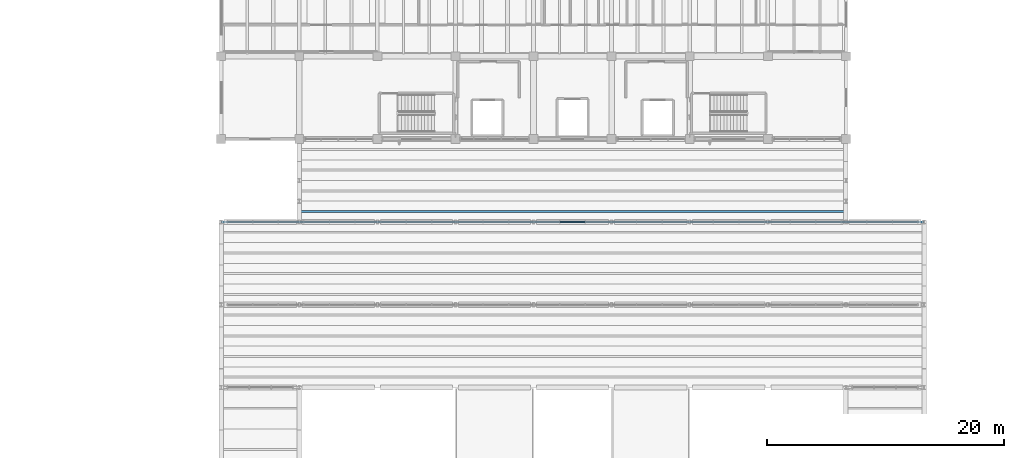
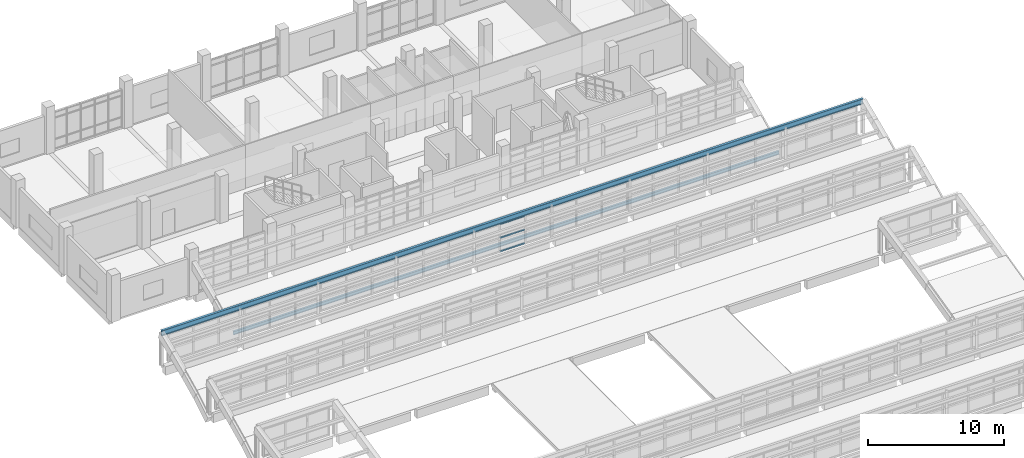
# One storey, part 51 of 92: 5 members, 1 element without a shape of its own.
"""IFC4 building model written with IfcOpenShell, lengths in metres."""

from ifc_helpers import new_model, si_unit, direction, frame, origin, origin_2d, place, context, subcontext, project, spatial, rectangle, i_section, extrude, material, material_profile, profile_set, type_object, element, aggregate, save


model = new_model("IFC4")

# Units and contexts
model_context = context("Model", 3, precision=1e-05, world=origin(), true_north=direction((0.0, 1.0)))
body_context = subcontext(model_context, "Body", "Model", "MODEL_VIEW")
ifc_project = project(units=[si_unit("LENGTHUNIT", "METRE"), si_unit("AREAUNIT", "SQUARE_METRE"), si_unit("VOLUMEUNIT", "CUBIC_METRE"), si_unit("PLANEANGLEUNIT", "RADIAN"), si_unit("MASSUNIT", "GRAM", prefix="KILO")], contexts=[model_context])

# Site, building, storey
site_placement = place(None, origin())
site = spatial("IfcSite", under=ifc_project, at=site_placement, CompositionType="ELEMENT")
building_placement = place(site_placement, origin())
building = spatial("IfcBuilding", under=site, at=building_placement, Name="Ciguamira Faculty of Natural Sciences", CompositionType="ELEMENT")
storey_placement = place(building_placement, frame((0.0, 0.0, 16.800048828125)))
storey = spatial("IfcBuildingStorey", under=building, at=storey_placement, Name="L04", CompositionType="ELEMENT", Elevation=16.800048828125)

# Curtain wall, members
ifc_material_1 = material(Name="Anodized aluminium curtain wall", Category="aluminium")
curtain_wall_type = type_object("IfcCurtainWallType", Name="CurtainWall_CW-08", PredefinedType="USERDEFINED", material=ifc_material_1)
curtain_wall_placement = place(storey_placement, origin())
curtain_wall = element("IfcCurtainWall", 1, at=curtain_wall_placement, inside=storey, type_object=curtain_wall_type, Name="V4 north-light wave 6 clerestory glazing 1", ObjectType="UNITISED CURTAIN WALL", PredefinedType="USERDEFINED")
ifc_material_2 = material(Name="Anodized aluminium transom", Category="aluminium")
ifc_material_profile_1 = material_profile(ifc_material_2, rectangle(XDim=0.070068359375, YDim=0.139892578125, at=origin_2d()), Name="ALU-TRN-70X140")
ifc_profile_set_1 = profile_set([ifc_material_profile_1], Name="Anodized aluminium transom")
member_type_1 = type_object("IfcMemberType", Name="CWTransom_CWT-02", PredefinedType="USERDEFINED", material=ifc_profile_set_1)
member_1_placement = place(storey_placement, frame((85.95361328125, 87.0, 0.284912109375), z_axis=(1.0, 0.0, 0.0), x_axis=(0.0, 0.0, 1.0)))
member_1 = element("IfcMember", 2, at=member_1_placement, type_object=member_type_1, Name="CW-08 transom 14.1", ObjectType="TRANSOM", PredefinedType="USERDEFINED", context=body_context, shape_type="SweptSolid", body=[
    extrude(rectangle(XDim=0.070068359375, YDim=0.139892578125, at=origin_2d()), origin(), (0.0, 0.0, 1.0), 2.0927734375),
])
member_2_placement = place(storey_placement, frame((85.95361328125, 87.0, 1.5), z_axis=(1.0, 0.0, 0.0), x_axis=(0.0, 0.0, 1.0)))
member_2 = element("IfcMember", 3, at=member_2_placement, type_object=member_type_1, Name="CW-08 transom 14.2", ObjectType="TRANSOM", PredefinedType="USERDEFINED", context=body_context, shape_type="SweptSolid", body=[
    extrude(rectangle(XDim=0.070068359375, YDim=0.139892578125, at=origin_2d()), origin(), (0.0, 0.0, 1.0), 2.0927734375),
])
member_3_placement = place(storey_placement, frame((85.95361328125, 87.0, 2.71484375), z_axis=(1.0, 0.0, 0.0), x_axis=(0.0, 0.0, 1.0)))
member_3 = element("IfcMember", 4, at=member_3_placement, type_object=member_type_1, Name="CW-08 transom 14.3", ObjectType="TRANSOM", PredefinedType="USERDEFINED", context=body_context, shape_type="SweptSolid", body=[
    extrude(rectangle(XDim=0.070068359375, YDim=0.139892578125, at=origin_2d()), origin(), (0.0, 0.0, 1.0), 2.0927734375),
])
aggregate(curtain_wall, [member_1, member_2, member_3])

# Members
ifc_material_3 = material(Name="Steel ASTM A992 Grade 50", Category="steel")
ifc_material_profile_2 = material_profile(ifc_material_3, i_section(OverallWidth=0.164794921875, OverallDepth=0.309814453125, WebThickness=0.005859375, FlangeThickness=0.009765625, at=origin_2d()), Name="W12X26")
ifc_profile_set_2 = profile_set([ifc_material_profile_2], Name="Steel ASTM A992 Grade 50")
member_type_2 = type_object("IfcMemberType", Name="SteelMember_PR-02_W12X26", PredefinedType="PURLIN", material=ifc_profile_set_2)
member_4_placement = place(storey_placement, frame((63.89990234375, 87.875, 0.148193359375), z_axis=(1.0, 0.0, 0.0), x_axis=(0.0, 1.0, 0.0)))
element("IfcMember", 5, at=member_4_placement, inside=storey, type_object=member_type_2, Name="V4 wave roof steel purlin 7-1-1", PredefinedType="PURLIN", context=body_context, shape_type="SweptSolid", body=[
    extrude(i_section(OverallWidth=0.164794921875, OverallDepth=0.309814453125, WebThickness=0.005859375, FlangeThickness=0.009765625, at=origin_2d()), origin(), (0.0, 0.0, 1.0), 46.2001953125),
])
ifc_material_profile_3 = material_profile(ifc_material_3, i_section(OverallWidth=0.19287109375, OverallDepth=0.46728515625, WebThickness=0.011474609375, FlangeThickness=0.01904296875, at=origin_2d()), Name="W18X65")
ifc_profile_set_3 = profile_set([ifc_material_profile_3], Name="Steel ASTM A992 Grade 50")
member_type_3 = type_object("IfcMemberType", Name="SteelMember_TC-01_W18X65", PredefinedType="CHORD", material=ifc_profile_set_3)
member_5_placement = place(storey_placement, frame((57.300048828125, 87.0, 2.986328125), z_axis=(1.0, 0.0, 0.0), x_axis=(0.0, 1.0, 0.0)))
element("IfcMember", 6, at=member_5_placement, inside=storey, type_object=member_type_3, Name="V4 north-light wave 6 crest chord 1", PredefinedType="CHORD", context=body_context, shape_type="SweptSolid", body=[
    extrude(i_section(OverallWidth=0.19287109375, OverallDepth=0.46728515625, WebThickness=0.011474609375, FlangeThickness=0.01904296875, at=origin_2d()), origin(), (0.0, 0.0, 1.0), 59.39990234375),
])

save(model, "model.ifc")
